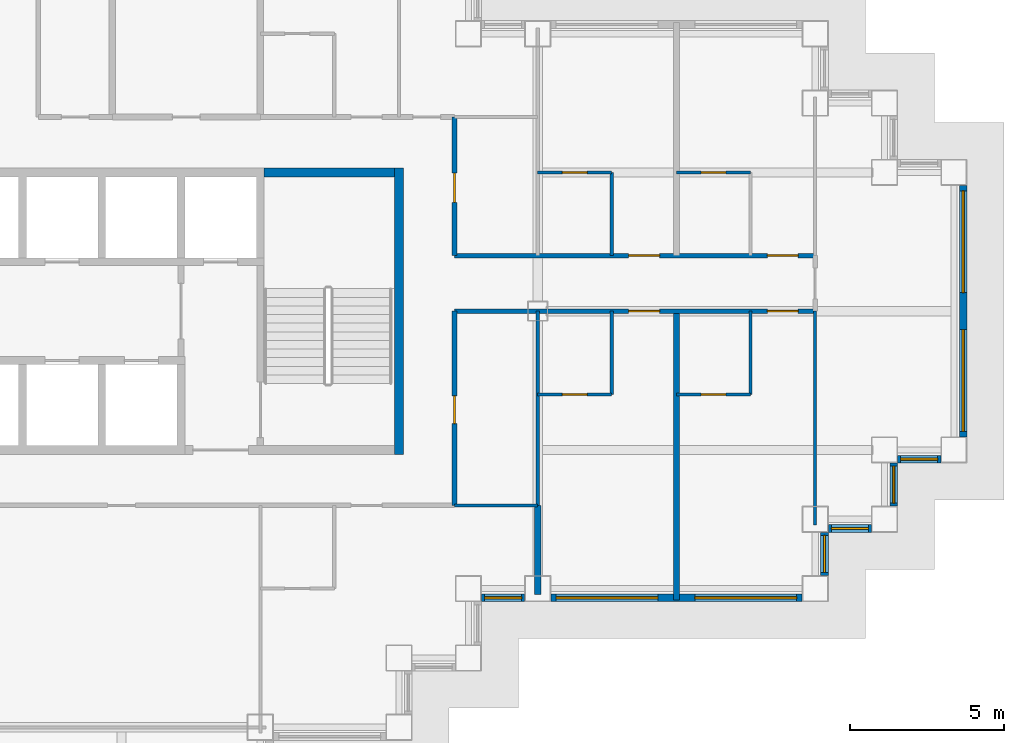
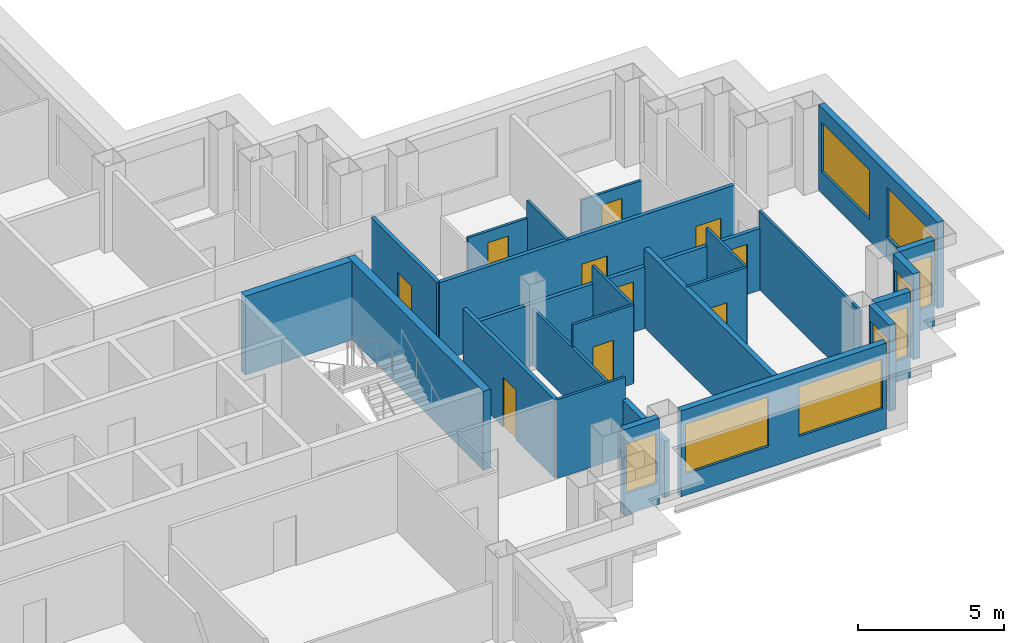
# One storey, part 7 of 15: 25 walls, 10 doors, 9 windows, 19 openings.
"""IFC4 building model written with IfcOpenShell, lengths in metres."""

from ifc_helpers import new_model, si_unit, direction, frame, frame_2d, origin, place, context, subcontext, project, spatial, rectangle, extrude, material, layer, layer_set, type_object, element, fill, save


model = new_model("IFC4")

# Units and contexts
model_context = context("Model", 3, precision=1e-05, world=origin(), true_north=direction((0.0, 1.0)))
body_context = subcontext(model_context, "Body", "Model", "MODEL_VIEW")
ifc_project = project(units=[si_unit("LENGTHUNIT", "METRE"), si_unit("AREAUNIT", "SQUARE_METRE"), si_unit("VOLUMEUNIT", "CUBIC_METRE"), si_unit("PLANEANGLEUNIT", "RADIAN"), si_unit("MASSUNIT", "GRAM", prefix="KILO")], contexts=[model_context])

# Site, building, storey
site_placement = place(None, origin())
site = spatial("IfcSite", under=ifc_project, at=site_placement, CompositionType="ELEMENT")
building_placement = place(site_placement, origin())
building = spatial("IfcBuilding", under=site, at=building_placement, Name="Caravel Reach Hotel and Residences", CompositionType="ELEMENT")
storey_placement = place(building_placement, frame((0.0, 0.0, 122.39990234375)))
storey = spatial("IfcBuildingStorey", under=building, at=storey_placement, Name="L30", CompositionType="ELEMENT", Elevation=122.39990234375)

# Wall, opening, door
ifc_material_1 = material(Name="Gypsum board on steel stud", Category="steel")
ifc_layer_1 = layer(ifc_material_1, 0.10009765625)
ifc_layer_set_1 = layer_set([ifc_layer_1], Name="Bathroom pod wall 100 mm")
wall_type_1 = type_object("IfcWallType", Name="Bathroom pod wall 100 mm", PredefinedType="PARTITIONING", material=ifc_layer_set_1)
wall_1_placement = place(storey_placement, frame((49.5, 24.300048828125, 0.0), z_axis=(0.0, 0.0, 1.0), x_axis=(1.0, 0.0, 0.0)))
wall_1 = element("IfcWall", 1, at=wall_1_placement, inside=storey, type_object=wall_type_1, Name="L30 wall w072", PredefinedType="PARTITIONING", context=body_context, shape_type="SweptSolid", body=[
    extrude(rectangle(XDim=2.39990234375, YDim=0.10009765625, at=frame_2d((1.199951171875, 0.0))), origin(), (0.0, 0.0, 1.0), 3.300048828125),
])
opening_1_placement = place(wall_1_placement, frame((0.800048828125, 0.0, 0.0)))
opening_1 = element("IfcOpeningElement", 2, at=opening_1_placement, cuts=wall_1, Name="Opening D30-021", PredefinedType="OPENING", context=body_context, shape_type="SweptSolid", body=[
    extrude(rectangle(XDim=0.800048828125, YDim=2.10009765625, at=frame_2d((0.39990234375, 1.050048828125))), frame((0.0, 0.06005859375, 0.0), z_axis=(0.0, -1.0, 0.0), x_axis=(1.0, 0.0, 0.0)), (0.0, 0.0, 1.0), 0.1201171875),
])
ifc_material_2 = material(Name="Timber and steel door leaf", Category="steel")
door_type_1 = type_object("IfcDoorType", Name="Bathroom door 800 x 2100", OperationType="SINGLE_SWING_LEFT", PredefinedType="DOOR", material=ifc_material_2)
door_1_placement = place(opening_1_placement, origin())
door_1 = element("IfcDoor", 3, at=door_1_placement, inside=storey, type_object=door_type_1, Name="door D30-021", OperationType="SINGLE_SWING_RIGHT", OverallHeight=2.10009765625, OverallWidth=0.800048828125, PredefinedType="DOOR", context=body_context, shape_type="SweptSolid", body=[
    extrude(rectangle(XDim=0.800048828125, YDim=2.10009765625, at=frame_2d((0.39990234375, 1.050048828125))), frame((0.0, 0.02490234375, 0.0), z_axis=(0.0, -1.0, 0.0), x_axis=(1.0, 0.0, 0.0)), (0.0, 0.0, 1.0), 0.050048828125),
])
fill(opening_1, door_1)

wall_2_placement = place(storey_placement, frame((54.0, 24.300048828125, 0.0), z_axis=(0.0, 0.0, 1.0), x_axis=(1.0, 0.0, 0.0)))
wall_2 = element("IfcWall", 4, at=wall_2_placement, inside=storey, type_object=wall_type_1, Name="L30 wall w073", PredefinedType="PARTITIONING", context=body_context, shape_type="SweptSolid", body=[
    extrude(rectangle(XDim=2.39990234375, YDim=0.10009765625, at=frame_2d((1.199951171875, 0.0))), origin(), (0.0, 0.0, 1.0), 3.300048828125),
])
opening_2_placement = place(wall_2_placement, frame((0.800048828125, 0.0, 0.0)))
opening_2 = element("IfcOpeningElement", 5, at=opening_2_placement, cuts=wall_2, Name="Opening D30-023", PredefinedType="OPENING", context=body_context, shape_type="SweptSolid", body=[
    extrude(rectangle(XDim=0.800048828125, YDim=2.10009765625, at=frame_2d((0.39990234375, 1.050048828125))), frame((0.0, 0.06005859375, 0.0), z_axis=(0.0, -1.0, 0.0), x_axis=(1.0, 0.0, 0.0)), (0.0, 0.0, 1.0), 0.1201171875),
])
door_2_placement = place(opening_2_placement, origin())
door_2 = element("IfcDoor", 6, at=door_2_placement, inside=storey, type_object=door_type_1, Name="door D30-023", OperationType="SINGLE_SWING_LEFT", OverallHeight=2.10009765625, OverallWidth=0.800048828125, PredefinedType="DOOR", context=body_context, shape_type="SweptSolid", body=[
    extrude(rectangle(XDim=0.800048828125, YDim=2.10009765625, at=frame_2d((0.39990234375, 1.050048828125))), frame((0.0, 0.02490234375, 0.0), z_axis=(0.0, -1.0, 0.0), x_axis=(1.0, 0.0, 0.0)), (0.0, 0.0, 1.0), 0.050048828125),
])
fill(opening_2, door_2)

wall_3_placement = place(storey_placement, frame((49.5, 31.5, 0.0), z_axis=(0.0, 0.0, 1.0), x_axis=(1.0, 0.0, 0.0)))
wall_3 = element("IfcWall", 7, at=wall_3_placement, inside=storey, type_object=wall_type_1, Name="L30 wall w075", PredefinedType="PARTITIONING", context=body_context, shape_type="SweptSolid", body=[
    extrude(rectangle(XDim=2.39990234375, YDim=0.10009765625, at=frame_2d((1.199951171875, 0.0))), origin(), (0.0, 0.0, 1.0), 2.580078125),
])
opening_3_placement = place(wall_3_placement, frame((0.800048828125, 0.0, 0.0)))
opening_3 = element("IfcOpeningElement", 8, at=opening_3_placement, cuts=wall_3, Name="Opening D30-025", PredefinedType="OPENING", context=body_context, shape_type="SweptSolid", body=[
    extrude(rectangle(XDim=0.800048828125, YDim=2.10009765625, at=frame_2d((0.39990234375, 1.050048828125))), frame((0.0, 0.06005859375, 0.0), z_axis=(0.0, -1.0, 0.0), x_axis=(1.0, 0.0, 0.0)), (0.0, 0.0, 1.0), 0.1201171875),
])
door_3_placement = place(opening_3_placement, origin())
door_3 = element("IfcDoor", 9, at=door_3_placement, inside=storey, type_object=door_type_1, Name="door D30-025", OperationType="SINGLE_SWING_RIGHT", OverallHeight=2.10009765625, OverallWidth=0.800048828125, PredefinedType="DOOR", context=body_context, shape_type="SweptSolid", body=[
    extrude(rectangle(XDim=0.800048828125, YDim=2.10009765625, at=frame_2d((0.39990234375, 1.050048828125))), frame((0.0, 0.02490234375, 0.0), z_axis=(0.0, -1.0, 0.0), x_axis=(1.0, 0.0, 0.0)), (0.0, 0.0, 1.0), 0.050048828125),
])
fill(opening_3, door_3)

wall_4_placement = place(storey_placement, frame((54.0, 31.5, 0.0), z_axis=(0.0, 0.0, 1.0), x_axis=(1.0, 0.0, 0.0)))
wall_4 = element("IfcWall", 10, at=wall_4_placement, inside=storey, type_object=wall_type_1, Name="L30 wall w076", PredefinedType="PARTITIONING", context=body_context, shape_type="SweptSolid", body=[
    extrude(rectangle(XDim=2.39990234375, YDim=0.10009765625, at=frame_2d((1.199951171875, 0.0))), origin(), (0.0, 0.0, 1.0), 2.580078125),
])
opening_4_placement = place(wall_4_placement, frame((0.800048828125, 0.0, 0.0)))
opening_4 = element("IfcOpeningElement", 11, at=opening_4_placement, cuts=wall_4, Name="Opening D30-027", PredefinedType="OPENING", context=body_context, shape_type="SweptSolid", body=[
    extrude(rectangle(XDim=0.800048828125, YDim=2.10009765625, at=frame_2d((0.39990234375, 1.050048828125))), frame((0.0, 0.06005859375, 0.0), z_axis=(0.0, -1.0, 0.0), x_axis=(1.0, 0.0, 0.0)), (0.0, 0.0, 1.0), 0.1201171875),
])
door_4_placement = place(opening_4_placement, origin())
door_4 = element("IfcDoor", 12, at=door_4_placement, inside=storey, type_object=door_type_1, Name="door D30-027", OperationType="SINGLE_SWING_RIGHT", OverallHeight=2.10009765625, OverallWidth=0.800048828125, PredefinedType="DOOR", context=body_context, shape_type="SweptSolid", body=[
    extrude(rectangle(XDim=0.800048828125, YDim=2.10009765625, at=frame_2d((0.39990234375, 1.050048828125))), frame((0.0, 0.02490234375, 0.0), z_axis=(0.0, -1.0, 0.0), x_axis=(1.0, 0.0, 0.0)), (0.0, 0.0, 1.0), 0.050048828125),
])
fill(opening_4, door_4)

# Walls
for number, where, z_axis, x_axis, name in (
    (13, (51.89990234375, 28.800048828125, 0.0), (0.0, 0.0, 1.0), (0.0, 1.0, 0.0), "L30 wall w092"),
    (14, (51.89990234375, 24.300048828125, 0.0), (0.0, 0.0, 1.0), (0.0, 1.0, 0.0), "L30 wall w093"),
    (15, (56.39990234375, 24.300048828125, 0.0), (0.0, 0.0, 1.0), (0.0, 1.0, 0.0), "L30 wall w095"),
):
    element("IfcWall", number, at=place(storey_placement, frame(where, z_axis=z_axis, x_axis=x_axis)), inside=storey, type_object=wall_type_1, Name=name, PredefinedType="PARTITIONING", context=body_context, shape_type="SweptSolid", body=[
        extrude(rectangle(XDim=2.699951171875, YDim=0.10009765625, at=frame_2d((1.35009765625, 0.0))), origin(), (0.0, 0.0, 1.0), 3.300048828125),
    ])
ifc_material_3 = material(Name="Concrete C60", Category="concrete")
ifc_layer_2 = layer(ifc_material_3, 0.300048828125)
ifc_layer_set_2 = layer_set([ifc_layer_2], Name="Core wall 300 mm EI 120")
wall_type_2 = type_object("IfcWallType", Name="Core wall 300 mm EI 120", PredefinedType="SHEAR", material=ifc_layer_set_2)
wall_5_placement = place(storey_placement, frame((40.625, 31.5, 0.0), z_axis=(0.0, 0.0, 1.0), x_axis=(1.0, 0.0, 0.0)))
element("IfcWall", 16, at=wall_5_placement, inside=storey, type_object=wall_type_2, Name="L30 core wall N2", PredefinedType="SHEAR", context=body_context, shape_type="SweptSolid", body=[
    extrude(rectangle(XDim=4.22509765625, YDim=0.300048828125, at=frame_2d((2.112548828125, 0.0))), origin(), (0.0, 0.0, 1.0), 3.300048828125),
])
wall_6_placement = place(storey_placement, frame((45.0, 22.35009765625, 0.0), z_axis=(0.0, 0.0, 1.0), x_axis=(0.0, 1.0, 0.0)))
element("IfcWall", 17, at=wall_6_placement, inside=storey, type_object=wall_type_2, Name="L30 core wall E", PredefinedType="SHEAR", context=body_context, shape_type="SweptSolid", body=[
    extrude(rectangle(XDim=9.2998046875, YDim=0.300048828125, at=frame_2d((4.64990234375, 0.0))), origin(), (0.0, 0.0, 1.0), 3.300048828125),
])

# Wall, openings, doors
ifc_material_4 = material(Name="Gypsum board on steel stud, fire-rated", Category="steel")
ifc_layer_3 = layer(ifc_material_4, 0.14990234375)
ifc_layer_set_3 = layer_set([ifc_layer_3], Name="Corridor wall 150 mm EI 60")
wall_type_3 = type_object("IfcWallType", Name="Corridor wall 150 mm EI 60", PredefinedType="PARTITIONING", material=ifc_layer_set_3)
wall_7_placement = place(storey_placement, frame((46.800048828125, 27.0, 0.0), z_axis=(0.0, 0.0, 1.0), x_axis=(1.0, 0.0, 0.0)))
wall_7 = element("IfcWall", 18, at=wall_7_placement, inside=storey, type_object=wall_type_3, Name="L30 wall w010", PredefinedType="PARTITIONING", context=body_context, shape_type="SweptSolid", body=[
    extrude(rectangle(XDim=11.699951171875, YDim=0.14990234375, at=frame_2d((5.85009765625, 0.0))), origin(), (0.0, 0.0, 1.0), 2.580078125),
])
opening_5_placement = place(wall_7_placement, frame((5.64990234375, 0.0, 0.0)))
opening_5 = element("IfcOpeningElement", 19, at=opening_5_placement, cuts=wall_7, Name="Opening D30-020", PredefinedType="OPENING", context=body_context, shape_type="SweptSolid", body=[
    extrude(rectangle(XDim=1.0, YDim=2.10009765625, at=frame_2d((0.5, 1.050048828125))), frame((0.0, 0.0849609375, 0.0), z_axis=(0.0, -1.0, 0.0), x_axis=(1.0, 0.0, 0.0)), (0.0, 0.0, 1.0), 0.169921875),
])
opening_6_placement = place(wall_7_placement, frame((10.14990234375, 0.0, 0.0)))
opening_6 = element("IfcOpeningElement", 20, at=opening_6_placement, cuts=wall_7, Name="Opening D30-022", PredefinedType="OPENING", context=body_context, shape_type="SweptSolid", body=[
    extrude(rectangle(XDim=1.0, YDim=2.10009765625, at=frame_2d((0.5, 1.050048828125))), frame((0.0, 0.0849609375, 0.0), z_axis=(0.0, -1.0, 0.0), x_axis=(1.0, 0.0, 0.0)), (0.0, 0.0, 1.0), 0.169921875),
])
ifc_material_5 = material(Name="Steel fire door leaf", Category="steel")
door_type_2 = type_object("IfcDoorType", Name="Guest room door 1000 x 2100 EI 30", OperationType="SINGLE_SWING_LEFT", PredefinedType="DOOR", material=ifc_material_5)
door_5_placement = place(opening_5_placement, origin())
door_5 = element("IfcDoor", 21, at=door_5_placement, inside=storey, type_object=door_type_2, Name="door D30-020", OperationType="SINGLE_SWING_RIGHT", OverallHeight=2.10009765625, OverallWidth=1.0, PredefinedType="DOOR", context=body_context, shape_type="SweptSolid", body=[
    extrude(rectangle(XDim=1.0, YDim=2.10009765625, at=frame_2d((0.5, 1.050048828125))), frame((0.0, 0.02490234375, 0.0), z_axis=(0.0, -1.0, 0.0), x_axis=(1.0, 0.0, 0.0)), (0.0, 0.0, 1.0), 0.050048828125),
])
fill(opening_5, door_5)
door_6_placement = place(opening_6_placement, origin())
door_6 = element("IfcDoor", 22, at=door_6_placement, inside=storey, type_object=door_type_2, Name="door D30-022", OperationType="SINGLE_SWING_RIGHT", OverallHeight=2.10009765625, OverallWidth=1.0, PredefinedType="DOOR", context=body_context, shape_type="SweptSolid", body=[
    extrude(rectangle(XDim=1.0, YDim=2.10009765625, at=frame_2d((0.5, 1.050048828125))), frame((0.0, 0.02490234375, 0.0), z_axis=(0.0, -1.0, 0.0), x_axis=(1.0, 0.0, 0.0)), (0.0, 0.0, 1.0), 0.050048828125),
])
fill(opening_6, door_6)

wall_8_placement = place(storey_placement, frame((46.800048828125, 28.800048828125, 0.0), z_axis=(0.0, 0.0, 1.0), x_axis=(1.0, 0.0, 0.0)))
wall_8 = element("IfcWall", 23, at=wall_8_placement, inside=storey, type_object=wall_type_3, Name="L30 wall w014", PredefinedType="PARTITIONING", context=body_context, shape_type="SweptSolid", body=[
    extrude(rectangle(XDim=11.699951171875, YDim=0.14990234375, at=frame_2d((5.85009765625, 0.0))), origin(), (0.0, 0.0, 1.0), 3.300048828125),
])
opening_7_placement = place(wall_8_placement, frame((5.64990234375, 0.0, 0.0)))
opening_7 = element("IfcOpeningElement", 24, at=opening_7_placement, cuts=wall_8, Name="Opening D30-024", PredefinedType="OPENING", context=body_context, shape_type="SweptSolid", body=[
    extrude(rectangle(XDim=1.0, YDim=2.10009765625, at=frame_2d((0.5, 1.050048828125))), frame((0.0, 0.0849609375, 0.0), z_axis=(0.0, -1.0, 0.0), x_axis=(1.0, 0.0, 0.0)), (0.0, 0.0, 1.0), 0.169921875),
])
opening_8_placement = place(wall_8_placement, frame((10.14990234375, 0.0, 0.0)))
opening_8 = element("IfcOpeningElement", 25, at=opening_8_placement, cuts=wall_8, Name="Opening D30-026", PredefinedType="OPENING", context=body_context, shape_type="SweptSolid", body=[
    extrude(rectangle(XDim=1.0, YDim=2.10009765625, at=frame_2d((0.5, 1.050048828125))), frame((0.0, 0.0849609375, 0.0), z_axis=(0.0, -1.0, 0.0), x_axis=(1.0, 0.0, 0.0)), (0.0, 0.0, 1.0), 0.169921875),
])
door_7_placement = place(opening_7_placement, origin())
door_7 = element("IfcDoor", 26, at=door_7_placement, inside=storey, type_object=door_type_2, Name="door D30-024", OperationType="SINGLE_SWING_RIGHT", OverallHeight=2.10009765625, OverallWidth=1.0, PredefinedType="DOOR", context=body_context, shape_type="SweptSolid", body=[
    extrude(rectangle(XDim=1.0, YDim=2.10009765625, at=frame_2d((0.5, 1.050048828125))), frame((0.0, 0.02490234375, 0.0), z_axis=(0.0, -1.0, 0.0), x_axis=(1.0, 0.0, 0.0)), (0.0, 0.0, 1.0), 0.050048828125),
])
fill(opening_7, door_7)
door_8_placement = place(opening_8_placement, origin())
door_8 = element("IfcDoor", 27, at=door_8_placement, inside=storey, type_object=door_type_2, Name="door D30-026", OperationType="SINGLE_SWING_RIGHT", OverallHeight=2.10009765625, OverallWidth=1.0, PredefinedType="DOOR", context=body_context, shape_type="SweptSolid", body=[
    extrude(rectangle(XDim=1.0, YDim=2.10009765625, at=frame_2d((0.5, 1.050048828125))), frame((0.0, 0.02490234375, 0.0), z_axis=(0.0, -1.0, 0.0), x_axis=(1.0, 0.0, 0.0)), (0.0, 0.0, 1.0), 0.050048828125),
])
fill(opening_8, door_8)

# Wall, opening, door
wall_9_placement = place(storey_placement, frame((46.800048828125, 28.800048828125, 0.0), z_axis=(0.0, 0.0, 1.0), x_axis=(0.0, 1.0, 0.0)))
wall_9 = element("IfcWall", 28, at=wall_9_placement, inside=storey, type_object=wall_type_3, Name="L30 wall w033", PredefinedType="PARTITIONING", context=body_context, shape_type="SweptSolid", body=[
    extrude(rectangle(XDim=4.5, YDim=0.14990234375, at=frame_2d((2.25, 0.0))), origin(), (0.0, 0.0, 1.0), 3.300048828125),
])
opening_9_placement = place(wall_9_placement, frame((1.72509765625, 0.0, 0.0)))
opening_9 = element("IfcOpeningElement", 29, at=opening_9_placement, cuts=wall_9, Name="Opening D30-059", PredefinedType="OPENING", context=body_context, shape_type="SweptSolid", body=[
    extrude(rectangle(XDim=0.949951171875, YDim=2.10009765625, at=frame_2d((0.47509765625, 1.050048828125))), frame((0.0, 0.0849609375, 0.0), z_axis=(0.0, -1.0, 0.0), x_axis=(1.0, 0.0, 0.0)), (0.0, 0.0, 1.0), 0.169921875),
])
ifc_material_6 = material(Name="Timber and steel door leaf", Category="steel")
door_type_3 = type_object("IfcDoorType", Name="Accessible WC door 950 x 2100", OperationType="SINGLE_SWING_LEFT", PredefinedType="DOOR", material=ifc_material_6)
door_9_placement = place(opening_9_placement, origin())
door_9 = element("IfcDoor", 30, at=door_9_placement, inside=storey, type_object=door_type_3, Name="door D30-059", OperationType="SINGLE_SWING_LEFT", OverallHeight=2.10009765625, OverallWidth=0.949951171875, PredefinedType="DOOR", context=body_context, shape_type="SweptSolid", body=[
    extrude(rectangle(XDim=0.949951171875, YDim=2.10009765625, at=frame_2d((0.47509765625, 1.050048828125))), frame((0.0, 0.02490234375, 0.0), z_axis=(0.0, -1.0, 0.0), x_axis=(1.0, 0.0, 0.0)), (0.0, 0.0, 1.0), 0.050048828125),
])
fill(opening_9, door_9)

wall_10_placement = place(storey_placement, frame((46.800048828125, 20.699951171875, 0.0), z_axis=(0.0, 0.0, 1.0), x_axis=(0.0, 1.0, 0.0)))
wall_10 = element("IfcWall", 31, at=wall_10_placement, inside=storey, type_object=wall_type_3, Name="L30 wall w034", PredefinedType="PARTITIONING", context=body_context, shape_type="SweptSolid", body=[
    extrude(rectangle(XDim=6.300048828125, YDim=0.14990234375, at=frame_2d((3.14990234375, 0.0))), origin(), (0.0, 0.0, 1.0), 3.300048828125),
])
opening_10_placement = place(wall_10_placement, frame((2.64990234375, 0.0, 0.0)))
opening_10 = element("IfcOpeningElement", 32, at=opening_10_placement, cuts=wall_10, Name="Opening D30-058", PredefinedType="OPENING", context=body_context, shape_type="SweptSolid", body=[
    extrude(rectangle(XDim=0.89990234375, YDim=2.10009765625, at=frame_2d((0.449951171875, 1.050048828125))), frame((0.0, 0.0849609375, 0.0), z_axis=(0.0, -1.0, 0.0), x_axis=(1.0, 0.0, 0.0)), (0.0, 0.0, 1.0), 0.169921875),
])
ifc_material_7 = material(Name="Timber and steel door leaf", Category="steel")
door_type_4 = type_object("IfcDoorType", Name="Door 900 x 2100 timber", OperationType="SINGLE_SWING_LEFT", PredefinedType="DOOR", material=ifc_material_7)
door_10_placement = place(opening_10_placement, origin())
door_10 = element("IfcDoor", 33, at=door_10_placement, inside=storey, type_object=door_type_4, Name="door D30-058", OperationType="SINGLE_SWING_LEFT", OverallHeight=2.10009765625, OverallWidth=0.89990234375, PredefinedType="DOOR", context=body_context, shape_type="SweptSolid", body=[
    extrude(rectangle(XDim=0.89990234375, YDim=2.10009765625, at=frame_2d((0.449951171875, 1.050048828125))), frame((0.0, 0.02490234375, 0.0), z_axis=(0.0, -1.0, 0.0), x_axis=(1.0, 0.0, 0.0)), (0.0, 0.0, 1.0), 0.050048828125),
])
fill(opening_10, door_10)

# Wall, opening, window
ifc_material_8 = material(Name="Insulated rainscreen wall, aluminium cladding", Category="aluminium")
ifc_layer_4 = layer(ifc_material_8, 0.25)
ifc_layer_set_4 = layer_set([ifc_layer_4], Name="EW1 Tower rainscreen wall")
wall_type_4 = type_object("IfcWallType", Name="EW1 Tower rainscreen wall", PredefinedType="SOLIDWALL", material=ifc_layer_set_4)
wall_11_placement = place(storey_placement, frame((47.675048828125, 17.699951171875, 0.0), z_axis=(0.0, 0.0, 1.0), x_axis=(1.0, 0.0, 0.0)))
wall_11 = element("IfcWall", 34, at=wall_11_placement, inside=storey, type_object=wall_type_4, Name="External wall L30 S15.1", PredefinedType="SOLIDWALL", context=body_context, shape_type="SweptSolid", body=[
    extrude(rectangle(XDim=1.39990234375, YDim=0.25, at=frame_2d((0.699951171875, 0.0))), origin(), (0.0, 0.0, 1.0), 3.60009765625),
])
opening_11_placement = place(wall_11_placement, frame((0.10009765625, 0.0, 0.89990234375)))
opening_11 = element("IfcOpeningElement", 35, at=opening_11_placement, cuts=wall_11, Name="Opening WN9", PredefinedType="OPENING", context=body_context, shape_type="SweptSolid", body=[
    extrude(rectangle(XDim=1.199951171875, YDim=2.080078125, at=frame_2d((0.60009765625, 1.0400390625))), frame((0.0, 0.135009765625, 0.0), z_axis=(0.0, -1.0, 0.0), x_axis=(1.0, 0.0, 0.0)), (0.0, 0.0, 1.0), 0.27001953125),
])
ifc_material_9 = material(Name="Dark low-e glazing in black aluminium frame", Category="aluminium")
window_type_1 = type_object("IfcWindowType", Name="Hotel suite corner window 1200 x 2080", PartitioningType="SINGLE_PANEL", PredefinedType="WINDOW", material=ifc_material_9)
window_1_placement = place(opening_11_placement, origin())
window_1 = element("IfcWindow", 36, at=window_1_placement, inside=storey, type_object=window_type_1, Name="Window L30 S15.1.1", OverallHeight=2.080078125, OverallWidth=1.199951171875, PartitioningType="SINGLE_PANEL", PredefinedType="WINDOW", context=body_context, shape_type="SweptSolid", body=[
    extrude(rectangle(XDim=1.199951171875, YDim=2.080078125, at=frame_2d((0.60009765625, 1.0400390625))), frame((0.0, 0.030029296875, 0.0), z_axis=(0.0, -1.0, 0.0), x_axis=(1.0, 0.0, 0.0)), (0.0, 0.0, 1.0), 0.06005859375),
])
fill(opening_11, window_1)

# Wall, openings, windows
wall_12_placement = place(storey_placement, frame((49.925048828125, 17.699951171875, 0.0), z_axis=(0.0, 0.0, 1.0), x_axis=(1.0, 0.0, 0.0)))
wall_12 = element("IfcWall", 37, at=wall_12_placement, inside=storey, type_object=wall_type_4, Name="External wall L30 S15.2", PredefinedType="SOLIDWALL", context=body_context, shape_type="SweptSolid", body=[
    extrude(rectangle(XDim=8.14990234375, YDim=0.25, at=frame_2d((4.074951171875, 0.0))), origin(), (0.0, 0.0, 1.0), 3.60009765625),
])
opening_12_placement = place(wall_12_placement, frame((0.175048828125, 0.0, 0.89990234375)))
opening_12 = element("IfcOpeningElement", 38, at=opening_12_placement, cuts=wall_12, Name="Opening WN4", PredefinedType="OPENING", context=body_context, shape_type="SweptSolid", body=[
    extrude(rectangle(XDim=3.300048828125, YDim=2.080078125, at=frame_2d((1.64990234375, 1.0400390625))), frame((0.0, 0.135009765625, 0.0), z_axis=(0.0, -1.0, 0.0), x_axis=(1.0, 0.0, 0.0)), (0.0, 0.0, 1.0), 0.27001953125),
])
opening_13_placement = place(wall_12_placement, frame((4.675048828125, 0.0, 0.89990234375)))
opening_13 = element("IfcOpeningElement", 39, at=opening_13_placement, cuts=wall_12, Name="Opening WN4", PredefinedType="OPENING", context=body_context, shape_type="SweptSolid", body=[
    extrude(rectangle(XDim=3.300048828125, YDim=2.080078125, at=frame_2d((1.64990234375, 1.0400390625))), frame((0.0, 0.135009765625, 0.0), z_axis=(0.0, -1.0, 0.0), x_axis=(1.0, 0.0, 0.0)), (0.0, 0.0, 1.0), 0.27001953125),
])
ifc_material_10 = material(Name="Dark low-e glazing in black aluminium frame", Category="aluminium")
window_type_2 = type_object("IfcWindowType", Name="Hotel guest room window 3300 x 2080", PartitioningType="SINGLE_PANEL", PredefinedType="WINDOW", material=ifc_material_10)
window_2_placement = place(opening_12_placement, origin())
window_2 = element("IfcWindow", 40, at=window_2_placement, inside=storey, type_object=window_type_2, Name="Window L30 S15.2.1", OverallHeight=2.080078125, OverallWidth=3.300048828125, PartitioningType="SINGLE_PANEL", PredefinedType="WINDOW", context=body_context, shape_type="SweptSolid", body=[
    extrude(rectangle(XDim=3.300048828125, YDim=2.080078125, at=frame_2d((1.64990234375, 1.0400390625))), frame((0.0, 0.030029296875, 0.0), z_axis=(0.0, -1.0, 0.0), x_axis=(1.0, 0.0, 0.0)), (0.0, 0.0, 1.0), 0.06005859375),
])
fill(opening_12, window_2)
window_3_placement = place(opening_13_placement, origin())
window_3 = element("IfcWindow", 41, at=window_3_placement, inside=storey, type_object=window_type_2, Name="Window L30 S15.2.2", OverallHeight=2.080078125, OverallWidth=3.300048828125, PartitioningType="SINGLE_PANEL", PredefinedType="WINDOW", context=body_context, shape_type="SweptSolid", body=[
    extrude(rectangle(XDim=3.300048828125, YDim=2.080078125, at=frame_2d((1.64990234375, 1.0400390625))), frame((0.0, 0.030029296875, 0.0), z_axis=(0.0, -1.0, 0.0), x_axis=(1.0, 0.0, 0.0)), (0.0, 0.0, 1.0), 0.06005859375),
])
fill(opening_13, window_3)

# Wall, opening, window
wall_13_placement = place(storey_placement, frame((58.800048828125, 18.425048828125, 0.0), z_axis=(0.0, 0.0, 1.0), x_axis=(0.0, 1.0, 0.0)))
wall_13 = element("IfcWall", 42, at=wall_13_placement, inside=storey, type_object=wall_type_4, Name="External wall L30 E16.1", PredefinedType="SOLIDWALL", context=body_context, shape_type="SweptSolid", body=[
    extrude(rectangle(XDim=1.39990234375, YDim=0.25, at=frame_2d((0.699951171875, 0.0))), origin(), (0.0, 0.0, 1.0), 3.60009765625),
])
opening_14_placement = place(wall_13_placement, frame((0.10009765625, 0.0, 0.89990234375)))
opening_14 = element("IfcOpeningElement", 43, at=opening_14_placement, cuts=wall_13, Name="Opening WN9", PredefinedType="OPENING", context=body_context, shape_type="SweptSolid", body=[
    extrude(rectangle(XDim=1.199951171875, YDim=2.080078125, at=frame_2d((0.60009765625, 1.0400390625))), frame((0.0, 0.135009765625, 0.0), z_axis=(0.0, -1.0, 0.0), x_axis=(1.0, 0.0, 0.0)), (0.0, 0.0, 1.0), 0.27001953125),
])
window_4_placement = place(opening_14_placement, origin())
window_4 = element("IfcWindow", 44, at=window_4_placement, inside=storey, type_object=window_type_1, Name="Window L30 E16.1.1", OverallHeight=2.080078125, OverallWidth=1.199951171875, PartitioningType="SINGLE_PANEL", PredefinedType="WINDOW", context=body_context, shape_type="SweptSolid", body=[
    extrude(rectangle(XDim=1.199951171875, YDim=2.080078125, at=frame_2d((0.60009765625, 1.0400390625))), frame((0.0, 0.030029296875, 0.0), z_axis=(0.0, -1.0, 0.0), x_axis=(1.0, 0.0, 0.0)), (0.0, 0.0, 1.0), 0.06005859375),
])
fill(opening_14, window_4)

wall_14_placement = place(storey_placement, frame((58.925048828125, 19.949951171875, 0.0), z_axis=(0.0, 0.0, 1.0), x_axis=(1.0, 0.0, 0.0)))
wall_14 = element("IfcWall", 45, at=wall_14_placement, inside=storey, type_object=wall_type_4, Name="External wall L30 S17.1", PredefinedType="SOLIDWALL", context=body_context, shape_type="SweptSolid", body=[
    extrude(rectangle(XDim=1.39990234375, YDim=0.25, at=frame_2d((0.699951171875, 0.0))), origin(), (0.0, 0.0, 1.0), 3.60009765625),
])
opening_15_placement = place(wall_14_placement, frame((0.10009765625, 0.0, 0.89990234375)))
opening_15 = element("IfcOpeningElement", 46, at=opening_15_placement, cuts=wall_14, Name="Opening WN9", PredefinedType="OPENING", context=body_context, shape_type="SweptSolid", body=[
    extrude(rectangle(XDim=1.199951171875, YDim=2.080078125, at=frame_2d((0.60009765625, 1.0400390625))), frame((0.0, 0.135009765625, 0.0), z_axis=(0.0, -1.0, 0.0), x_axis=(1.0, 0.0, 0.0)), (0.0, 0.0, 1.0), 0.27001953125),
])
window_5_placement = place(opening_15_placement, origin())
window_5 = element("IfcWindow", 47, at=window_5_placement, inside=storey, type_object=window_type_1, Name="Window L30 S17.1.1", OverallHeight=2.080078125, OverallWidth=1.199951171875, PartitioningType="SINGLE_PANEL", PredefinedType="WINDOW", context=body_context, shape_type="SweptSolid", body=[
    extrude(rectangle(XDim=1.199951171875, YDim=2.080078125, at=frame_2d((0.60009765625, 1.0400390625))), frame((0.0, 0.030029296875, 0.0), z_axis=(0.0, -1.0, 0.0), x_axis=(1.0, 0.0, 0.0)), (0.0, 0.0, 1.0), 0.06005859375),
])
fill(opening_15, window_5)

wall_15_placement = place(storey_placement, frame((61.050048828125, 20.675048828125, 0.0), z_axis=(0.0, 0.0, 1.0), x_axis=(0.0, 1.0, 0.0)))
wall_15 = element("IfcWall", 48, at=wall_15_placement, inside=storey, type_object=wall_type_4, Name="External wall L30 E18.1", PredefinedType="SOLIDWALL", context=body_context, shape_type="SweptSolid", body=[
    extrude(rectangle(XDim=1.39990234375, YDim=0.25, at=frame_2d((0.699951171875, 0.0))), origin(), (0.0, 0.0, 1.0), 3.60009765625),
])
opening_16_placement = place(wall_15_placement, frame((0.10009765625, 0.0, 0.89990234375)))
opening_16 = element("IfcOpeningElement", 49, at=opening_16_placement, cuts=wall_15, Name="Opening WN9", PredefinedType="OPENING", context=body_context, shape_type="SweptSolid", body=[
    extrude(rectangle(XDim=1.199951171875, YDim=2.080078125, at=frame_2d((0.60009765625, 1.0400390625))), frame((0.0, 0.135009765625, 0.0), z_axis=(0.0, -1.0, 0.0), x_axis=(1.0, 0.0, 0.0)), (0.0, 0.0, 1.0), 0.27001953125),
])
window_6_placement = place(opening_16_placement, origin())
window_6 = element("IfcWindow", 50, at=window_6_placement, inside=storey, type_object=window_type_1, Name="Window L30 E18.1.1", OverallHeight=2.080078125, OverallWidth=1.199951171875, PartitioningType="SINGLE_PANEL", PredefinedType="WINDOW", context=body_context, shape_type="SweptSolid", body=[
    extrude(rectangle(XDim=1.199951171875, YDim=2.080078125, at=frame_2d((0.60009765625, 1.0400390625))), frame((0.0, 0.030029296875, 0.0), z_axis=(0.0, -1.0, 0.0), x_axis=(1.0, 0.0, 0.0)), (0.0, 0.0, 1.0), 0.06005859375),
])
fill(opening_16, window_6)

wall_16_placement = place(storey_placement, frame((61.175048828125, 22.199951171875, 0.0), z_axis=(0.0, 0.0, 1.0), x_axis=(1.0, 0.0, 0.0)))
wall_16 = element("IfcWall", 51, at=wall_16_placement, inside=storey, type_object=wall_type_4, Name="External wall L30 S19.1", PredefinedType="SOLIDWALL", context=body_context, shape_type="SweptSolid", body=[
    extrude(rectangle(XDim=1.39990234375, YDim=0.25, at=frame_2d((0.699951171875, 0.0))), origin(), (0.0, 0.0, 1.0), 3.60009765625),
])
opening_17_placement = place(wall_16_placement, frame((0.10009765625, 0.0, 0.89990234375)))
opening_17 = element("IfcOpeningElement", 52, at=opening_17_placement, cuts=wall_16, Name="Opening WN9", PredefinedType="OPENING", context=body_context, shape_type="SweptSolid", body=[
    extrude(rectangle(XDim=1.199951171875, YDim=2.080078125, at=frame_2d((0.60009765625, 1.0400390625))), frame((0.0, 0.135009765625, 0.0), z_axis=(0.0, -1.0, 0.0), x_axis=(1.0, 0.0, 0.0)), (0.0, 0.0, 1.0), 0.27001953125),
])
window_7_placement = place(opening_17_placement, origin())
window_7 = element("IfcWindow", 53, at=window_7_placement, inside=storey, type_object=window_type_1, Name="Window L30 S19.1.1", OverallHeight=2.080078125, OverallWidth=1.199951171875, PartitioningType="SINGLE_PANEL", PredefinedType="WINDOW", context=body_context, shape_type="SweptSolid", body=[
    extrude(rectangle(XDim=1.199951171875, YDim=2.080078125, at=frame_2d((0.60009765625, 1.0400390625))), frame((0.0, 0.030029296875, 0.0), z_axis=(0.0, -1.0, 0.0), x_axis=(1.0, 0.0, 0.0)), (0.0, 0.0, 1.0), 0.06005859375),
])
fill(opening_17, window_7)

# Wall, openings, windows
wall_17_placement = place(storey_placement, frame((63.300048828125, 22.925048828125, 0.0), z_axis=(0.0, 0.0, 1.0), x_axis=(0.0, 1.0, 0.0)))
wall_17 = element("IfcWall", 54, at=wall_17_placement, inside=storey, type_object=wall_type_4, Name="External wall L30 E20.1", PredefinedType="SOLIDWALL", context=body_context, shape_type="SweptSolid", body=[
    extrude(rectangle(XDim=8.14990234375, YDim=0.25, at=frame_2d((4.074951171875, 0.0))), origin(), (0.0, 0.0, 1.0), 3.60009765625),
])
opening_18_placement = place(wall_17_placement, frame((0.175048828125, 0.0, 0.89990234375)))
opening_18 = element("IfcOpeningElement", 55, at=opening_18_placement, cuts=wall_17, Name="Opening WN4", PredefinedType="OPENING", context=body_context, shape_type="SweptSolid", body=[
    extrude(rectangle(XDim=3.300048828125, YDim=2.080078125, at=frame_2d((1.64990234375, 1.0400390625))), frame((0.0, 0.135009765625, 0.0), z_axis=(0.0, -1.0, 0.0), x_axis=(1.0, 0.0, 0.0)), (0.0, 0.0, 1.0), 0.27001953125),
])
opening_19_placement = place(wall_17_placement, frame((4.675048828125, 0.0, 0.89990234375)))
opening_19 = element("IfcOpeningElement", 56, at=opening_19_placement, cuts=wall_17, Name="Opening WN4", PredefinedType="OPENING", context=body_context, shape_type="SweptSolid", body=[
    extrude(rectangle(XDim=3.300048828125, YDim=2.080078125, at=frame_2d((1.64990234375, 1.0400390625))), frame((0.0, 0.135009765625, 0.0), z_axis=(0.0, -1.0, 0.0), x_axis=(1.0, 0.0, 0.0)), (0.0, 0.0, 1.0), 0.27001953125),
])
window_8_placement = place(opening_18_placement, origin())
window_8 = element("IfcWindow", 57, at=window_8_placement, inside=storey, type_object=window_type_2, Name="Window L30 E20.1.1", OverallHeight=2.080078125, OverallWidth=3.300048828125, PartitioningType="SINGLE_PANEL", PredefinedType="WINDOW", context=body_context, shape_type="SweptSolid", body=[
    extrude(rectangle(XDim=3.300048828125, YDim=2.080078125, at=frame_2d((1.64990234375, 1.0400390625))), frame((0.0, 0.030029296875, 0.0), z_axis=(0.0, -1.0, 0.0), x_axis=(1.0, 0.0, 0.0)), (0.0, 0.0, 1.0), 0.06005859375),
])
fill(opening_18, window_8)
window_9_placement = place(opening_19_placement, origin())
window_9 = element("IfcWindow", 58, at=window_9_placement, inside=storey, type_object=window_type_2, Name="Window L30 E20.1.2", OverallHeight=2.080078125, OverallWidth=3.300048828125, PartitioningType="SINGLE_PANEL", PredefinedType="WINDOW", context=body_context, shape_type="SweptSolid", body=[
    extrude(rectangle(XDim=3.300048828125, YDim=2.080078125, at=frame_2d((1.64990234375, 1.0400390625))), frame((0.0, 0.030029296875, 0.0), z_axis=(0.0, -1.0, 0.0), x_axis=(1.0, 0.0, 0.0)), (0.0, 0.0, 1.0), 0.06005859375),
])
fill(opening_19, window_9)

# Walls
ifc_material_11 = material(Name="Gypsum board on steel stud", Category="steel")
ifc_layer_5 = layer(ifc_material_11, 0.10009765625)
ifc_layer_set_5 = layer_set([ifc_layer_5], Name="Partition 100 mm")
wall_type_5 = type_object("IfcWallType", Name="Partition 100 mm", PredefinedType="PARTITIONING", material=ifc_layer_set_5)
wall_18_placement = place(storey_placement, frame((46.800048828125, 20.699951171875, 0.0), z_axis=(0.0, 0.0, 1.0), x_axis=(1.0, 0.0, 0.0)))
element("IfcWall", 59, at=wall_18_placement, inside=storey, type_object=wall_type_5, Name="L30 wall w040", PredefinedType="PARTITIONING", context=body_context, shape_type="SweptSolid", body=[
    extrude(rectangle(XDim=2.699951171875, YDim=0.10009765625, at=frame_2d((1.35009765625, 0.0))), origin(), (0.0, 0.0, 1.0), 3.300048828125),
])
wall_19_placement = place(storey_placement, frame((49.5, 20.699951171875, 0.0), z_axis=(0.0, 0.0, 1.0), x_axis=(0.0, 1.0, 0.0)))
element("IfcWall", 60, at=wall_19_placement, inside=storey, type_object=wall_type_5, Name="L30 wall w058", PredefinedType="PARTITIONING", context=body_context, shape_type="SweptSolid", body=[
    extrude(rectangle(XDim=6.300048828125, YDim=0.10009765625, at=frame_2d((3.14990234375, 0.0))), origin(), (0.0, 0.0, 1.0), 2.380126953125),
])
wall_20_placement = place(storey_placement, frame((58.5, 20.06005859375, 0.0), z_axis=(0.0, 0.0, 1.0), x_axis=(0.0, 1.0, 0.0)))
element("IfcWall", 61, at=wall_20_placement, inside=storey, type_object=wall_type_5, Name="L30 wall w060", PredefinedType="PARTITIONING", context=body_context, shape_type="SweptSolid", body=[
    extrude(rectangle(XDim=6.93994140625, YDim=0.10009765625, at=frame_2d((3.469970703125, 0.0))), origin(), (0.0, 0.0, 1.0), 3.300048828125),
])
ifc_material_12 = material(Name="Autoclaved aerated block wall")
ifc_layer_6 = layer(ifc_material_12, 0.199951171875)
ifc_layer_set_6 = layer_set([ifc_layer_6], Name="Party wall 200 mm EI 60")
wall_type_6 = type_object("IfcWallType", Name="Party wall 200 mm EI 60", PredefinedType="PARTITIONING", material=ifc_layer_set_6)
wall_21_placement = place(storey_placement, frame((49.5, 17.81005859375, 0.0), z_axis=(0.0, 0.0, 1.0), x_axis=(0.0, 1.0, 0.0)))
element("IfcWall", 62, at=wall_21_placement, inside=storey, type_object=wall_type_6, Name="L30 wall w064", PredefinedType="PARTITIONING", context=body_context, shape_type="SweptSolid", body=[
    extrude(rectangle(XDim=2.889892578125, YDim=0.199951171875, at=frame_2d((1.44482421875, 0.0))), origin(), (0.0, 0.0, 1.0), 2.380126953125),
])
wall_22_placement = place(storey_placement, frame((54.0, 17.635009765625, 0.0), z_axis=(0.0, 0.0, 1.0), x_axis=(0.0, 1.0, 0.0)))
element("IfcWall", 63, at=wall_22_placement, inside=storey, type_object=wall_type_6, Name="L30 wall w066", PredefinedType="PARTITIONING", context=body_context, shape_type="SweptSolid", body=[
    extrude(rectangle(XDim=9.364990234375, YDim=0.199951171875, at=frame_2d((4.6826171875, 0.0))), origin(), (0.0, 0.0, 1.0), 3.300048828125),
])

save(model, "model.ifc")
